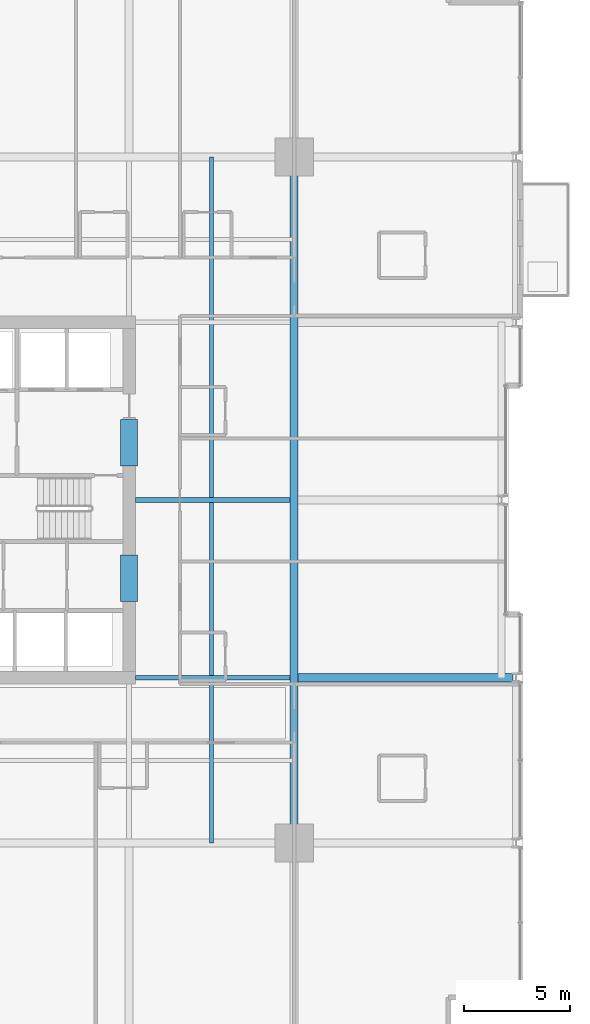
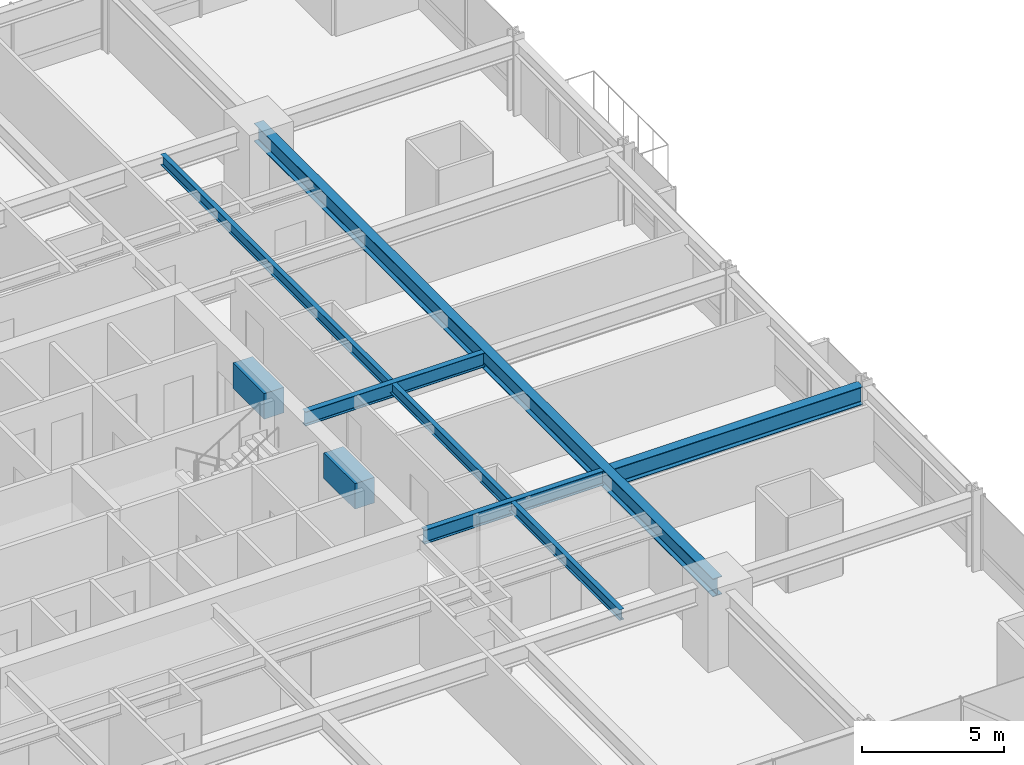
# One storey, part 15 of 38: 7 beams.
"""IFC4 building model written with IfcOpenShell, lengths in metres."""

from ifc_helpers import new_model, si_unit, direction, frame, origin, origin_2d, place, context, subcontext, project, spatial, rectangle, i_section, extrude, material, material_profile, profile_set, type_object, element, save


model = new_model("IFC4")

# Units and contexts
model_context = context("Model", 3, precision=1e-05, world=origin(), true_north=direction((0.0, 1.0)))
body_context = subcontext(model_context, "Body", "Model", "MODEL_VIEW")
ifc_project = project(units=[si_unit("LENGTHUNIT", "METRE"), si_unit("AREAUNIT", "SQUARE_METRE"), si_unit("VOLUMEUNIT", "CUBIC_METRE"), si_unit("PLANEANGLEUNIT", "RADIAN"), si_unit("MASSUNIT", "GRAM", prefix="KILO")], contexts=[model_context])

# Site, building, storey
site_placement = place(None, origin())
site = spatial("IfcSite", under=ifc_project, at=site_placement, CompositionType="ELEMENT")
building_placement = place(site_placement, origin())
building = spatial("IfcBuilding", under=site, at=building_placement, Name="Drelvath Grand Hotel", CompositionType="ELEMENT")
storey_placement = place(building_placement, frame((0.0, 0.0, 68.199951171875)))
storey = spatial("IfcBuildingStorey", under=building, at=storey_placement, Name="L16", CompositionType="ELEMENT", Elevation=68.199951171875)

# Beams
ifc_material_1 = material(Name="Steel ASTM A992 Gr 50", Category="steel")
ifc_material_profile_1 = material_profile(ifc_material_1, i_section(OverallWidth=0.19140625, OverallDepth=0.4599609375, WebThickness=0.010009765625, FlangeThickness=0.01611328125, FilletRadius=0.01611328125, at=origin_2d()), Name="W18X55")
ifc_profile_set_1 = profile_set([ifc_material_profile_1], Name="Steel ASTM A992 Gr 50")
beam_type_1 = type_object("IfcBeamType", Name="Composite Floor Joist W18X55", PredefinedType="JOIST", material=ifc_profile_set_1)
beam_1_placement = place(storey_placement, frame((12.300048828125, 10.800048828125, 3.010009765625), z_axis=(0.0, 1.0, 0.0), x_axis=(-1.0, 0.0, 0.0)))
element("IfcBeam", 1, at=beam_1_placement, inside=storey, type_object=beam_type_1, Name="L16 Wing Floor Joist J4", PredefinedType="JOIST", context=body_context, shape_type="SweptSolid", body=[
    extrude(i_section(OverallWidth=0.19140625, OverallDepth=0.4599609375, WebThickness=0.010009765625, FlangeThickness=0.01611328125, FilletRadius=0.01611328125, at=origin_2d()), origin(), (0.0, 0.0, 1.0), 32.39990234375),
])
ifc_material_2 = material(Name="Concrete f'c 70 MPa", Category="concrete")
ifc_material_profile_2 = material_profile(ifc_material_2, rectangle(XDim=0.800048828125, YDim=1.10009765625, at=origin_2d()), Name="CB800X1100")
ifc_profile_set_2 = profile_set([ifc_material_profile_2], Name="Concrete f'c 70 MPa")
beam_type_2 = type_object("IfcBeamType", Name="Core Coupling Lintel CB800X1100", PredefinedType="LINTEL", material=ifc_profile_set_2)
for number, where, z_axis, x_axis, name in (
    (2, (8.39990234375, 22.199951171875, 2.68994140625), (0.0, 1.0, 0.0), (-1.0, 0.0, 0.0), "L16 Core Coupling Lintel ES"),
    (3, (8.39990234375, 28.60009765625, 2.68994140625), (0.0, 1.0, 0.0), (-1.0, 0.0, 0.0), "L16 Core Coupling Lintel EN"),
):
    element("IfcBeam", number, at=place(storey_placement, frame(where, z_axis=z_axis, x_axis=x_axis)), inside=storey, type_object=beam_type_2, Name=name, PredefinedType="LINTEL", context=body_context, shape_type="SweptSolid", body=[
        extrude(rectangle(XDim=0.800048828125, YDim=1.10009765625, at=origin_2d()), origin(), (0.0, 0.0, 1.0), 2.199951171875),
    ])
ifc_material_profile_3 = material_profile(ifc_material_1, i_section(OverallWidth=0.228271484375, OverallDepth=0.607666015625, WebThickness=0.01123046875, FlangeThickness=0.017333984375, FilletRadius=0.02001953125, at=origin_2d()), Name="W24X76")
ifc_profile_set_3 = profile_set([ifc_material_profile_3], Name="Steel ASTM A992 Gr 50")
beam_type_3 = type_object("IfcBeamType", Name="Primary Floor Girder W24X76", PredefinedType="BEAM", material=ifc_profile_set_3)
for number, where, z_axis, x_axis, name in (
    (4, (8.699951171875, 18.60009765625, 2.936279296875), (1.0, 0.0, 0.0), (0.0, 1.0, 0.0), "L16 East Core Tie D"),
    (5, (8.699951171875, 27.0, 2.936279296875), (1.0, 0.0, 0.0), (0.0, 1.0, 0.0), "L16 East Core Tie E"),
):
    element("IfcBeam", number, at=place(storey_placement, frame(where, z_axis=z_axis, x_axis=x_axis)), inside=storey, type_object=beam_type_3, Name=name, PredefinedType="BEAM", context=body_context, shape_type="SweptSolid", body=[
        extrude(i_section(OverallWidth=0.228271484375, OverallDepth=0.607666015625, WebThickness=0.01123046875, FlangeThickness=0.017333984375, FilletRadius=0.02001953125, at=origin_2d()), origin(), (0.0, 0.0, 1.0), 7.309814453125),
    ])
ifc_material_profile_4 = material_profile(ifc_material_1, i_section(OverallWidth=0.380615234375, OverallDepth=0.773193359375, WebThickness=0.0166015625, FlangeThickness=0.027099609375, FilletRadius=0.02490234375, at=origin_2d()), Name="W30X173")
ifc_profile_set_4 = profile_set([ifc_material_profile_4], Name="Steel ASTM A992 Gr 50")
beam_type_4 = type_object("IfcBeamType", Name="Primary Floor Girder W30X173", PredefinedType="BEAM", material=ifc_profile_set_4)
beam_2_placement = place(storey_placement, frame((16.199951171875, 10.800048828125, 2.853515625), z_axis=(0.0, 1.0, 0.0), x_axis=(-1.0, 0.0, 0.0)))
element("IfcBeam", 6, at=beam_2_placement, inside=storey, type_object=beam_type_4, Name="L16 Mega Ring Girder East", PredefinedType="BEAM", context=body_context, shape_type="SweptSolid", body=[
    extrude(i_section(OverallWidth=0.380615234375, OverallDepth=0.773193359375, WebThickness=0.0166015625, FlangeThickness=0.027099609375, FilletRadius=0.02490234375, at=origin_2d()), origin(), (0.0, 0.0, 1.0), 32.39990234375),
])
beam_3_placement = place(storey_placement, frame((16.390380859375, 18.60009765625, 2.853515625), z_axis=(1.0, 0.0, 0.0), x_axis=(0.0, 1.0, 0.0)))
element("IfcBeam", 7, at=beam_3_placement, inside=storey, type_object=beam_type_4, Name="L16 East Wing Girder D", PredefinedType="BEAM", context=body_context, shape_type="SweptSolid", body=[
    extrude(i_section(OverallWidth=0.380615234375, OverallDepth=0.773193359375, WebThickness=0.0166015625, FlangeThickness=0.027099609375, FilletRadius=0.02490234375, at=origin_2d()), origin(), (0.0, 0.0, 1.0), 10.149658203125),
])

save(model, "model.ifc")
